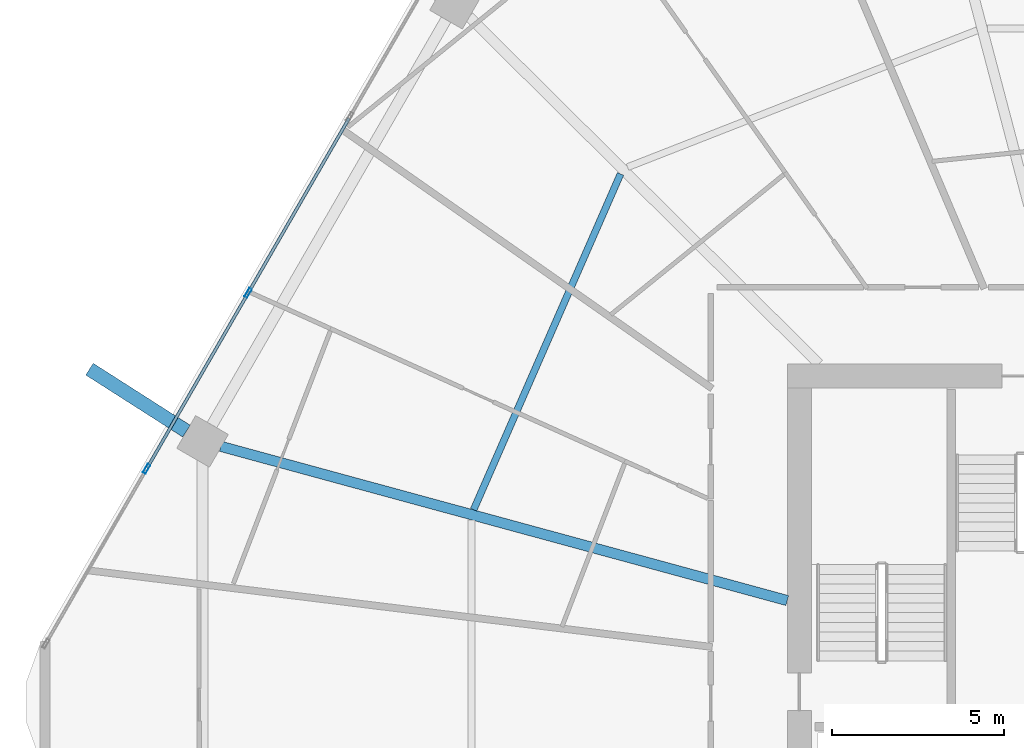
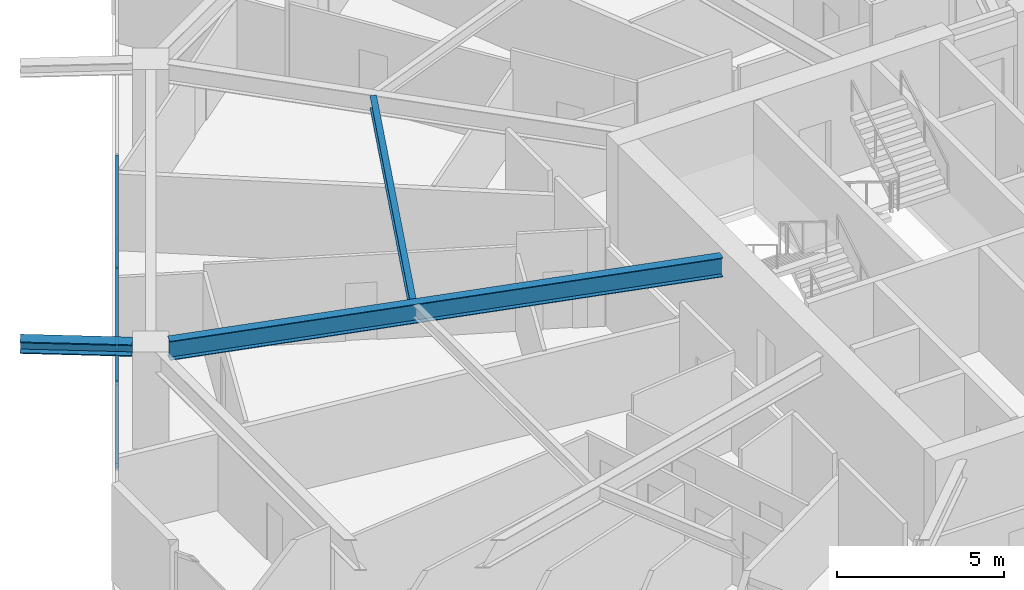
# One storey, part 13 of 32: 6 members, 3 beams, 1 element without a shape of its own.
"""IFC4 building model written with IfcOpenShell, lengths in metres."""

from ifc_helpers import new_model, si_unit, direction, frame, origin, origin_2d, place, context, subcontext, project, spatial, hollow_rectangle, i_section, extrude, material, material_profile, profile_set, type_object, element, aggregate, save


model = new_model("IFC4")

# Units and contexts
model_context = context("Model", 3, precision=1e-05, world=origin(), true_north=direction((0.0, 1.0)))
body_context = subcontext(model_context, "Body", "Model", "MODEL_VIEW")
ifc_project = project(units=[si_unit("LENGTHUNIT", "METRE"), si_unit("AREAUNIT", "SQUARE_METRE"), si_unit("VOLUMEUNIT", "CUBIC_METRE"), si_unit("PLANEANGLEUNIT", "RADIAN"), si_unit("MASSUNIT", "GRAM", prefix="KILO")], contexts=[model_context])

# Site, building, storey
site_placement = place(None, origin())
site = spatial("IfcSite", under=ifc_project, at=site_placement, CompositionType="ELEMENT")
building_placement = place(site_placement, origin())
building = spatial("IfcBuilding", under=site, at=building_placement, Name="Zuhravey Tower", CompositionType="ELEMENT")
storey_placement = place(building_placement, frame((0.0, 0.0, 111.39990234375)))
storey = spatial("IfcBuildingStorey", under=building, at=storey_placement, Name="L27", CompositionType="ELEMENT", Elevation=111.39990234375)

# Curtain wall, members
ifc_material_1 = material(Name="Thermally broken anodised aluminium", Category="aluminium")
curtain_wall_type = type_object("IfcCurtainWallType", Name="Zone 1-2 Residential Curtain Wall CW3", PredefinedType="NOTDEFINED", material=ifc_material_1)
curtain_wall_placement = place(storey_placement, origin())
curtain_wall = element("IfcCurtainWall", 1, at=curtain_wall_placement, inside=storey, type_object=curtain_wall_type, Name="L27 CW3 CW-L27-F3-1", PredefinedType="NOTDEFINED")
ifc_material_2 = material(Name="Anodised aluminium", Category="aluminium")
ifc_material_profile_1 = material_profile(ifc_material_2, hollow_rectangle(XDim=0.090087890625, YDim=0.284912109375, WallThickness=0.0048828125, at=origin_2d()), Name="ALU-RHS-90x285x5")
ifc_profile_set_1 = profile_set([ifc_material_profile_1], Name="Anodised aluminium")
member_type_1 = type_object("IfcMemberType", Name="Curtain-Wall Mullion 90x180", PredefinedType="MULLION", material=ifc_profile_set_1)
member_1_placement = place(storey_placement, frame((6.4814453125, 38.789306640625, 0.0), z_axis=(0.0, 0.0, 1.0), x_axis=(-0.86602552265, 0.499999794119, 0.0)))
member_1 = element("IfcMember", 2, at=member_1_placement, type_object=member_type_1, Name="CW3 mullion 2", PredefinedType="MULLION", context=body_context, shape_type="SweptSolid", body=[
    extrude(hollow_rectangle(XDim=0.090087890625, YDim=0.284912109375, WallThickness=0.0048828125, at=origin_2d()), origin(), (0.0, 0.0, 1.0), 3.1220703125),
])
member_2_placement = place(storey_placement, frame((9.44140625, 43.916015625, 0.0), z_axis=(0.0, 0.0, 1.0), x_axis=(-0.86602552265, 0.499999794119, 0.0)))
member_2 = element("IfcMember", 3, at=member_2_placement, type_object=member_type_1, Name="CW3 mullion 3", PredefinedType="MULLION", context=body_context, shape_type="SweptSolid", body=[
    extrude(hollow_rectangle(XDim=0.090087890625, YDim=0.284912109375, WallThickness=0.0048828125, at=origin_2d()), origin(), (0.0, 0.0, 1.0), 3.1220703125),
])
ifc_material_profile_2 = material_profile(ifc_material_2, hollow_rectangle(XDim=0.090087890625, YDim=0.14990234375, WallThickness=0.0048828125, at=origin_2d()), Name="ALU-RHS-90x150x5")
ifc_profile_set_2 = profile_set([ifc_material_profile_2], Name="Anodised aluminium")
member_type_2 = type_object("IfcMemberType", Name="Curtain-Wall Transom 90x150", PredefinedType="USERDEFINED", material=ifc_profile_set_2)
member_3_placement = place(storey_placement, frame((6.50390625, 38.828125, 0.045166015625), z_axis=(0.499981042766, 0.866036348472, 0.0), x_axis=(-0.866036348472, 0.499981042766, 0.0)))
member_3 = element("IfcMember", 4, at=member_3_placement, type_object=member_type_2, Name="CW3 transom 2.1", ObjectType="TRANSOM", PredefinedType="USERDEFINED", context=body_context, shape_type="SweptSolid", body=[
    extrude(hollow_rectangle(XDim=0.090087890625, YDim=0.14990234375, WallThickness=0.0048828125, at=origin_2d()), origin(), (0.0, 0.0, 1.0), 5.829833984375),
])
member_4_placement = place(storey_placement, frame((6.50390625, 38.828125, 3.0771484375), z_axis=(0.499981042766, 0.866036348472, 0.0), x_axis=(-0.866036348472, 0.499981042766, 0.0)))
member_4 = element("IfcMember", 5, at=member_4_placement, type_object=member_type_2, Name="CW3 transom 2.2", ObjectType="TRANSOM", PredefinedType="USERDEFINED", context=body_context, shape_type="SweptSolid", body=[
    extrude(hollow_rectangle(XDim=0.090087890625, YDim=0.14990234375, WallThickness=0.0048828125, at=origin_2d()), origin(), (0.0, 0.0, 1.0), 5.829833984375),
])
member_5_placement = place(storey_placement, frame((9.4638671875, 43.954833984375, 0.045166015625), z_axis=(0.499981042766, 0.866036348472, 0.0), x_axis=(-0.866036348472, 0.499981042766, 0.0)))
member_5 = element("IfcMember", 6, at=member_5_placement, type_object=member_type_2, Name="CW3 transom 3.1", ObjectType="TRANSOM", PredefinedType="USERDEFINED", context=body_context, shape_type="SweptSolid", body=[
    extrude(hollow_rectangle(XDim=0.090087890625, YDim=0.14990234375, WallThickness=0.0048828125, at=origin_2d()), origin(), (0.0, 0.0, 1.0), 5.829833984375),
])
member_6_placement = place(storey_placement, frame((9.4638671875, 43.954833984375, 3.0771484375), z_axis=(0.499981042766, 0.866036348472, 0.0), x_axis=(-0.866036348472, 0.499981042766, 0.0)))
member_6 = element("IfcMember", 7, at=member_6_placement, type_object=member_type_2, Name="CW3 transom 3.2", ObjectType="TRANSOM", PredefinedType="USERDEFINED", context=body_context, shape_type="SweptSolid", body=[
    extrude(hollow_rectangle(XDim=0.090087890625, YDim=0.14990234375, WallThickness=0.0048828125, at=origin_2d()), origin(), (0.0, 0.0, 1.0), 5.829833984375),
])
aggregate(curtain_wall, [member_1, member_2, member_3, member_4, member_5, member_6])

# Beams
ifc_material_3 = material(Name="Steel SM460", Category="steel")
ifc_material_profile_3 = material_profile(ifc_material_3, i_section(OverallWidth=0.406982421875, OverallDepth=0.427978515625, WebThickness=0.02001953125, FlangeThickness=0.034912109375, at=origin_2d()), Name="H-428x407x20x35")
ifc_profile_set_3 = profile_set([ifc_material_profile_3], Name="Steel SM460")
beam_type_1 = type_object("IfcBeamType", Name="Exoskeleton Node Tie Beam H428x407", PredefinedType="BEAM", material=ifc_profile_set_3)
beam_1_placement = place(storey_placement, frame((7.6435546875, 39.89013671875, 3.336181640625), z_axis=(-0.842698094374, 0.538386405604, 0.0), x_axis=(-0.538386405604, -0.842698094374, 0.0)))
element("IfcBeam", 8, at=beam_1_placement, inside=storey, type_object=beam_type_1, Name="L27 Exoskeleton Node Tie NT1-06", PredefinedType="BEAM", context=body_context, shape_type="SweptSolid", body=[
    extrude(i_section(OverallWidth=0.406982421875, OverallDepth=0.427978515625, WebThickness=0.02001953125, FlangeThickness=0.034912109375, at=origin_2d()), origin(), (0.0, 0.0, 1.0), 3.354248046875),
])
ifc_material_4 = material(Name="Steel SM355", Category="steel")
ifc_material_profile_4 = material_profile(ifc_material_4, i_section(OverallWidth=0.300048828125, OverallDepth=0.699951171875, WebThickness=0.012939453125, FlangeThickness=0.02392578125, at=origin_2d()), Name="H-700x300x13x24")
ifc_profile_set_4 = profile_set([ifc_material_profile_4], Name="Steel SM355")
beam_type_2 = type_object("IfcBeamType", Name="Radial Primary Girder H700x300", PredefinedType="BEAM", material=ifc_profile_set_4)
beam_2_placement = place(storey_placement, frame((25.14697265625, 34.954345703125, 3.2001953125), z_axis=(-0.964893166225, 0.262642680791, 0.0), x_axis=(-0.262642680791, -0.964893166225, 0.0)))
element("IfcBeam", 9, at=beam_2_placement, inside=storey, type_object=beam_type_2, Name="L27 RG1 BM-L27-RAD-06", PredefinedType="BEAM", context=body_context, shape_type="SweptSolid", body=[
    extrude(i_section(OverallWidth=0.300048828125, OverallDepth=0.699951171875, WebThickness=0.012939453125, FlangeThickness=0.02392578125, at=origin_2d()), origin(), (0.0, 0.0, 1.0), 17.102783203125),
])
ifc_material_profile_5 = material_profile(ifc_material_4, i_section(OverallWidth=0.199951171875, OverallDepth=0.449951171875, WebThickness=0.009033203125, FlangeThickness=0.013916015625, at=origin_2d()), Name="H-450x200x9x14")
ifc_profile_set_5 = profile_set([ifc_material_profile_5], Name="Steel SM355")
beam_type_3 = type_object("IfcBeamType", Name="Secondary Floor Joist H450x200", PredefinedType="JOIST", material=ifc_profile_set_5)
beam_3_placement = place(storey_placement, frame((20.28955078125, 47.384033203125, 3.3251953125), z_axis=(-0.400786454617, -0.916171500209, 0.0), x_axis=(0.916171500209, -0.400786454617, 0.0)))
element("IfcBeam", 10, at=beam_3_placement, inside=storey, type_object=beam_type_3, Name="L27 SJ1 BM-L27-SJ-05-1", PredefinedType="JOIST", context=body_context, shape_type="SweptSolid", body=[
    extrude(i_section(OverallWidth=0.199951171875, OverallDepth=0.449951171875, WebThickness=0.009033203125, FlangeThickness=0.013916015625, at=origin_2d()), origin(), (0.0, 0.0, 1.0), 10.6796875),
])

save(model, "model.ifc")
